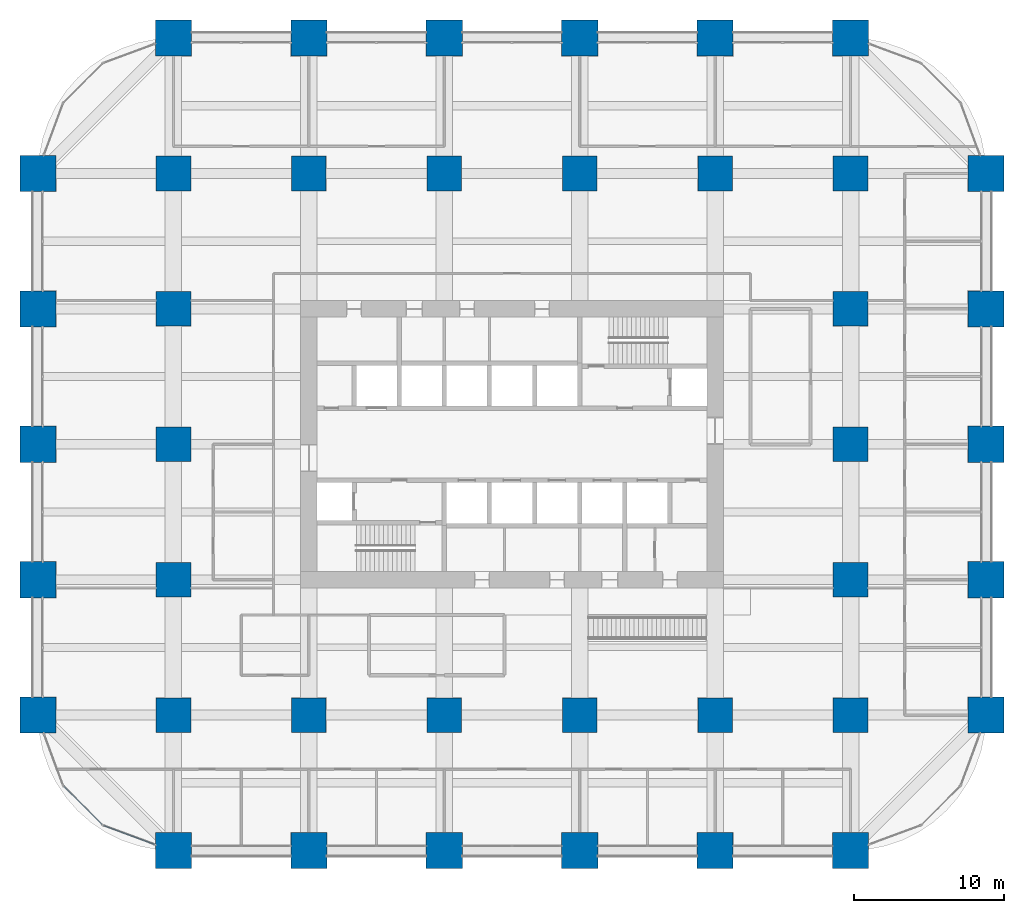
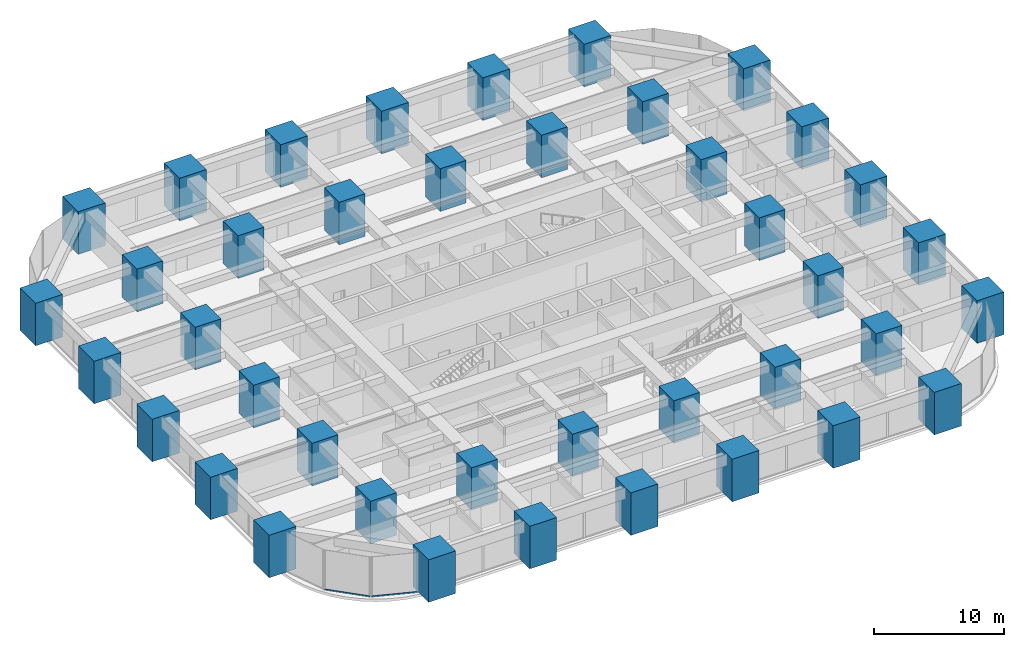
# One storey, part 1 of 45: 40 columns, 2 members, 2 elements without a shape of their own.
"""IFC4 building model written with IfcOpenShell, lengths in metres."""

from ifc_helpers import new_model, si_unit, direction, frame, origin, origin_2d, place, context, subcontext, project, spatial, rectangle, hollow_rectangle, extrude, material, material_profile, profile_set, type_object, element, aggregate, save


model = new_model("IFC4")

# Units and contexts
model_context = context("Model", 3, precision=1e-05, world=origin(), true_north=direction((0.0, 1.0)))
body_context = subcontext(model_context, "Body", "Model", "MODEL_VIEW")
ifc_project = project(units=[si_unit("LENGTHUNIT", "METRE"), si_unit("AREAUNIT", "SQUARE_METRE"), si_unit("VOLUMEUNIT", "CUBIC_METRE"), si_unit("PLANEANGLEUNIT", "RADIAN"), si_unit("MASSUNIT", "GRAM", prefix="KILO")], contexts=[model_context])

# Site, building, storey
site_placement = place(None, origin())
site = spatial("IfcSite", under=ifc_project, at=site_placement, CompositionType="ELEMENT")
building_placement = place(site_placement, origin())
building = spatial("IfcBuilding", under=site, at=building_placement, Name="Zorevar Civic Tower", CompositionType="ELEMENT")
storey_placement = place(building_placement, frame((0.0, 0.0, 23.800048828125)))
storey = spatial("IfcBuildingStorey", under=building, at=storey_placement, Name="L05", CompositionType="ELEMENT", Elevation=23.800048828125)

# Columns
ifc_material_1 = material(Name="Concrete C50/60", Category="concrete")
ifc_material_profile_1 = material_profile(ifc_material_1, rectangle(XDim=2.300048828125, YDim=2.300048828125, at=origin_2d()), Name="RC 2300x2300")
ifc_profile_set_1 = profile_set([ifc_material_profile_1], Name="Concrete C50/60")
column_type_1 = type_object("IfcColumnType", Name="Column RC 2300x2300", PredefinedType="COLUMN", material=ifc_profile_set_1)
for number, where, z_axis, x_axis, name in (
    (1, (9.0, 9.0, 0.0), (0.0, 0.0, 1.0), (1.0, 0.0, 0.0), "Column 3B L05"),
    (2, (9.0, 18.0, 0.0), (0.0, 0.0, 1.0), (1.0, 0.0, 0.0), "Column 3C L05"),
    (3, (9.0, 27.0, 0.0), (0.0, 0.0, 1.0), (1.0, 0.0, 0.0), "Column 3D L05"),
    (4, (9.0, 36.0, 0.0), (0.0, 0.0, 1.0), (1.0, 0.0, 0.0), "Column 3E L05"),
    (5, (9.0, 45.0, 0.0), (0.0, 0.0, 1.0), (1.0, 0.0, 0.0), "Column 3F L05"),
    (6, (18.0, 9.0, 0.0), (0.0, 0.0, 1.0), (1.0, 0.0, 0.0), "Column 4B L05"),
    (7, (18.0, 45.0, 0.0), (0.0, 0.0, 1.0), (1.0, 0.0, 0.0), "Column 4F L05"),
    (8, (27.0, 9.0, 0.0), (0.0, 0.0, 1.0), (1.0, 0.0, 0.0), "Column 5B L05"),
    (9, (27.0, 45.0, 0.0), (0.0, 0.0, 1.0), (1.0, 0.0, 0.0), "Column 5F L05"),
    (10, (36.0, 9.0, 0.0), (0.0, 0.0, 1.0), (1.0, 0.0, 0.0), "Column 6B L05"),
    (11, (36.0, 45.0, 0.0), (0.0, 0.0, 1.0), (1.0, 0.0, 0.0), "Column 6F L05"),
    (12, (45.0, 9.0, 0.0), (0.0, 0.0, 1.0), (1.0, 0.0, 0.0), "Column 7B L05"),
    (13, (45.0, 45.0, 0.0), (0.0, 0.0, 1.0), (1.0, 0.0, 0.0), "Column 7F L05"),
    (14, (54.0, 9.0, 0.0), (0.0, 0.0, 1.0), (1.0, 0.0, 0.0), "Column 8B L05"),
    (15, (54.0, 18.0, 0.0), (0.0, 0.0, 1.0), (1.0, 0.0, 0.0), "Column 8C L05"),
    (16, (54.0, 27.0, 0.0), (0.0, 0.0, 1.0), (1.0, 0.0, 0.0), "Column 8D L05"),
    (17, (54.0, 36.0, 0.0), (0.0, 0.0, 1.0), (1.0, 0.0, 0.0), "Column 8E L05"),
    (18, (54.0, 45.0, 0.0), (0.0, 0.0, 1.0), (1.0, 0.0, 0.0), "Column 8F L05"),
):
    element("IfcColumn", number, at=place(storey_placement, frame(where, z_axis=z_axis, x_axis=x_axis)), inside=storey, type_object=column_type_1, Name=name, PredefinedType="COLUMN", context=body_context, shape_type="SweptSolid", body=[
        extrude(rectangle(XDim=2.300048828125, YDim=2.300048828125, at=origin_2d()), origin(), (0.0, 0.0, 1.0), 4.0),
    ])
ifc_material_2 = material(Name="Concrete C50/60", Category="concrete")
ifc_material_profile_2 = material_profile(ifc_material_2, rectangle(XDim=2.39990234375, YDim=2.39990234375, at=origin_2d()), Name="RC 2400x2400")
ifc_profile_set_2 = profile_set([ifc_material_profile_2], Name="Concrete C50/60")
column_type_2 = type_object("IfcColumnType", Name="Column RC 2400x2400", PredefinedType="COLUMN", material=ifc_profile_set_2)
for number, where, z_axis, x_axis, name in (
    (19, (0.0, 9.0, 0.0), (0.0, 0.0, 1.0), (1.0, 0.0, 0.0), "Column 2B L05"),
    (20, (0.0, 18.0, 0.0), (0.0, 0.0, 1.0), (1.0, 0.0, 0.0), "Column 2C L05"),
    (21, (0.0, 27.0, 0.0), (0.0, 0.0, 1.0), (1.0, 0.0, 0.0), "Column 2D L05"),
    (22, (0.0, 36.0, 0.0), (0.0, 0.0, 1.0), (1.0, 0.0, 0.0), "Column 2E L05"),
    (23, (0.0, 45.0, 0.0), (0.0, 0.0, 1.0), (1.0, 0.0, 0.0), "Column 2F L05"),
    (24, (9.0, 0.0, 0.0), (0.0, 0.0, 1.0), (1.0, 0.0, 0.0), "Column 3A L05"),
    (25, (9.0, 54.0, 0.0), (0.0, 0.0, 1.0), (1.0, 0.0, 0.0), "Column 3G L05"),
    (26, (18.0, 0.0, 0.0), (0.0, 0.0, 1.0), (1.0, 0.0, 0.0), "Column 4A L05"),
    (27, (18.0, 54.0, 0.0), (0.0, 0.0, 1.0), (1.0, 0.0, 0.0), "Column 4G L05"),
    (28, (27.0, 0.0, 0.0), (0.0, 0.0, 1.0), (1.0, 0.0, 0.0), "Column 5A L05"),
    (29, (27.0, 54.0, 0.0), (0.0, 0.0, 1.0), (1.0, 0.0, 0.0), "Column 5G L05"),
    (30, (36.0, 0.0, 0.0), (0.0, 0.0, 1.0), (1.0, 0.0, 0.0), "Column 6A L05"),
    (31, (36.0, 54.0, 0.0), (0.0, 0.0, 1.0), (1.0, 0.0, 0.0), "Column 6G L05"),
    (32, (45.0, 0.0, 0.0), (0.0, 0.0, 1.0), (1.0, 0.0, 0.0), "Column 7A L05"),
    (33, (45.0, 54.0, 0.0), (0.0, 0.0, 1.0), (1.0, 0.0, 0.0), "Column 7G L05"),
    (34, (54.0, 0.0, 0.0), (0.0, 0.0, 1.0), (1.0, 0.0, 0.0), "Column 8A L05"),
    (35, (54.0, 54.0, 0.0), (0.0, 0.0, 1.0), (1.0, 0.0, 0.0), "Column 8G L05"),
    (36, (63.0, 9.0, 0.0), (0.0, 0.0, 1.0), (1.0, 0.0, 0.0), "Column 9B L05"),
    (37, (63.0, 18.0, 0.0), (0.0, 0.0, 1.0), (1.0, 0.0, 0.0), "Column 9C L05"),
    (38, (63.0, 27.0, 0.0), (0.0, 0.0, 1.0), (1.0, 0.0, 0.0), "Column 9D L05"),
    (39, (63.0, 36.0, 0.0), (0.0, 0.0, 1.0), (1.0, 0.0, 0.0), "Column 9E L05"),
    (40, (63.0, 45.0, 0.0), (0.0, 0.0, 1.0), (1.0, 0.0, 0.0), "Column 9F L05"),
):
    element("IfcColumn", number, at=place(storey_placement, frame(where, z_axis=z_axis, x_axis=x_axis)), inside=storey, type_object=column_type_2, Name=name, PredefinedType="COLUMN", context=body_context, shape_type="SweptSolid", body=[
        extrude(rectangle(XDim=2.39990234375, YDim=2.39990234375, at=origin_2d()), origin(), (0.0, 0.0, 1.0), 4.0),
    ])

# Curtain wall, member
ifc_material_3 = material(Name="Dark grey solar-control glass in black aluminium frame", Category="aluminium")
curtain_wall_type = type_object("IfcCurtainWallType", Name="Curtain wall CW2 low zone", PredefinedType="NOTDEFINED", material=ifc_material_3)
curtain_wall_1_placement = place(storey_placement, origin())
curtain_wall_1 = element("IfcCurtainWall", 41, at=curtain_wall_1_placement, inside=storey, type_object=curtain_wall_type, Name="CW2 L05", PredefinedType="NOTDEFINED")
ifc_material_4 = material(Name="Aluminium, black anodised", Category="aluminium")
ifc_material_profile_3 = material_profile(ifc_material_4, hollow_rectangle(XDim=0.06005859375, YDim=0.14990234375, WallThickness=0.00390625, at=origin_2d()), Name="AL 150x60x4")
ifc_profile_set_3 = profile_set([ifc_material_profile_3], Name="Aluminium, black anodised")
member_type = type_object("IfcMemberType", Name="CW2 transom AL 150x60x4", PredefinedType="USERDEFINED", material=ifc_profile_set_3)
member_1_placement = place(storey_placement, frame((1.716552734375, 4.264892578125, 0.030029296875), z_axis=(0.707106781187, -0.707106781187, 0.0), x_axis=(0.707106781187, 0.707106781187, 0.0)))
member_1 = element("IfcMember", 42, at=member_1_placement, type_object=member_type, Name="CW2 sill transom", ObjectType="TRANSOM", PredefinedType="USERDEFINED", context=body_context, shape_type="SweptSolid", body=[
    extrude(hollow_rectangle(XDim=0.06005859375, YDim=0.14990234375, WallThickness=0.00390625, at=origin_2d()), origin(), (0.0, 0.0, 1.0), 3.60400390625),
])
aggregate(curtain_wall_1, [member_1])

curtain_wall_2_placement = place(storey_placement, origin())
curtain_wall_2 = element("IfcCurtainWall", 43, at=curtain_wall_2_placement, inside=storey, type_object=curtain_wall_type, Name="CW2 L05", PredefinedType="NOTDEFINED")
member_2_placement = place(storey_placement, frame((4.363525390625, 1.6533203125, 0.030029296875), z_axis=(0.93798635741, -0.346672169799, 0.0), x_axis=(0.346672169799, 0.93798635741, 0.0)))
member_2 = element("IfcMember", 44, at=member_2_placement, type_object=member_type, Name="CW2 sill transom", ObjectType="TRANSOM", PredefinedType="USERDEFINED", context=body_context, shape_type="SweptSolid", body=[
    extrude(hollow_rectangle(XDim=0.06005859375, YDim=0.14990234375, WallThickness=0.00390625, at=origin_2d()), origin(), (0.0, 0.0, 1.0), 3.603515625),
])
aggregate(curtain_wall_2, [member_2])

save(model, "model.ifc")
